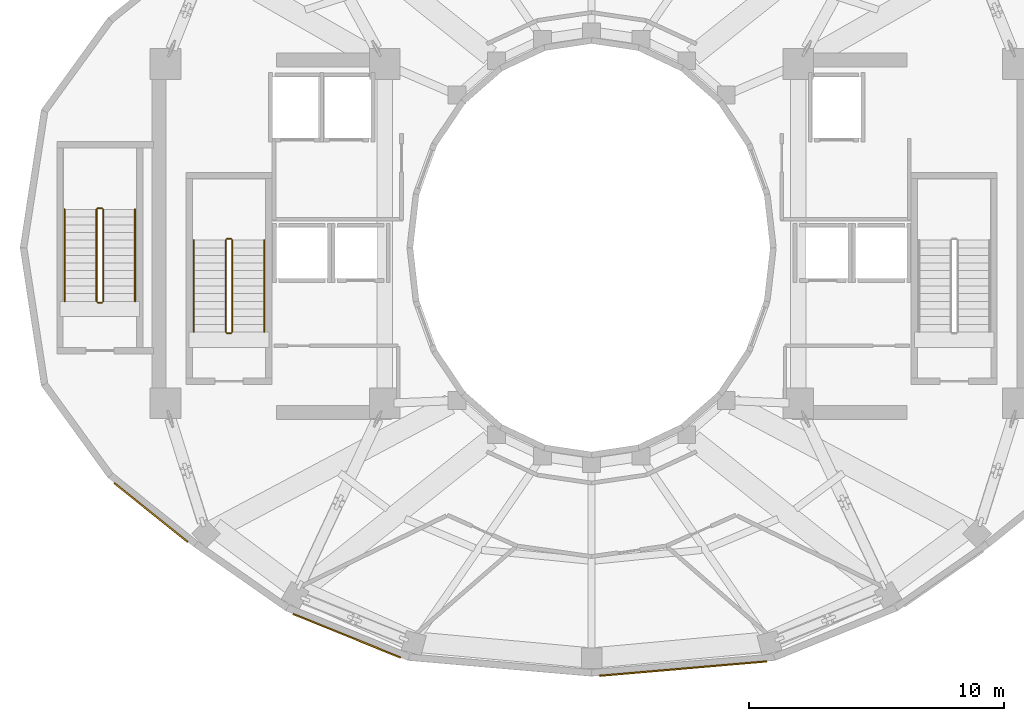
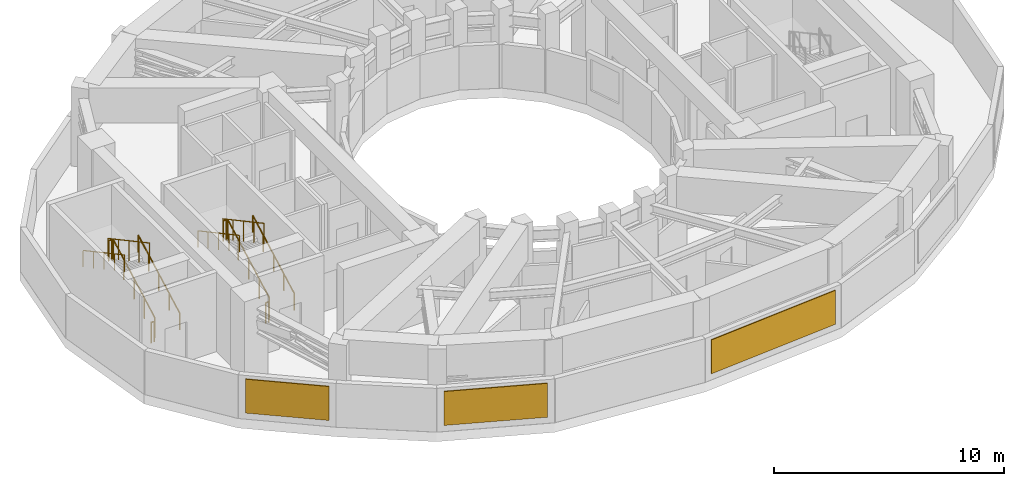
# One storey, part 7 of 10: 12 railings, 3 shading devices.
"""IFC4 building model written with IfcOpenShell, lengths in metres."""

from ifc_helpers import new_model, si_unit, direction, frame, origin, origin_2d, place, context, subcontext, project, spatial, rectangle, circle, extrude, material, layer, layer_set, type_object, element, save


model = new_model("IFC4")

# Units and contexts
model_context = context("Model", 3, precision=1e-05, world=origin(), true_north=direction((0.0, 1.0)))
body_context = subcontext(model_context, "Body", "Model", "MODEL_VIEW")
ifc_project = project(units=[si_unit("LENGTHUNIT", "METRE"), si_unit("AREAUNIT", "SQUARE_METRE"), si_unit("VOLUMEUNIT", "CUBIC_METRE"), si_unit("PLANEANGLEUNIT", "RADIAN"), si_unit("MASSUNIT", "GRAM", prefix="KILO")], contexts=[model_context])

# Site, building, storey
site_placement = place(None, origin())
site = spatial("IfcSite", under=ifc_project, at=site_placement, CompositionType="ELEMENT")
building_placement = place(site_placement, origin())
building = spatial("IfcBuilding", under=site, at=building_placement, Name="Solvane Sanctuary Tower", CompositionType="ELEMENT")
storey_placement = place(building_placement, frame((0.0, 0.0, 193.199951171875)))
storey = spatial("IfcBuildingStorey", under=building, at=storey_placement, Name="L59", CompositionType="ELEMENT", Elevation=193.199951171875)

# Railings
ifc_material_1 = material(Name="Architectural Stainless Steel 316", Category="steel")
railing_type_1 = type_object("IfcRailingType", Name="Railing GR-BALC-1150", PredefinedType="BALUSTRADE", material=ifc_material_1)
railing_1_placement = place(storey_placement, frame((17.919921875, 19.699951171875, 0.16162109375)))
element("IfcRailing", 1, at=railing_1_placement, inside=storey, type_object=railing_type_1, Name="L59 ST-1 stair guard 1", PredefinedType="BALUSTRADE", context=body_context, shape_type="SweptSolid", body=[
    extrude(circle(Radius=0.02392578125, at=origin_2d()), frame((0.0, 0.0, 1.076171875), z_axis=(0.0, 0.880474934443, 0.474092701714), x_axis=(-1.0, 0.0, 0.0)), (0.0, 0.0, 1.0), 4.0888671875),
    extrude(circle(Radius=0.02099609375, at=origin_2d()), origin(), (0.0, 0.0, 1.0), 1.052001953125),
    extrude(circle(Radius=0.02099609375, at=origin_2d()), frame((0.0, 0.89990234375, 0.484619140625)), (0.0, 0.0, 1.0), 1.052001953125),
    extrude(circle(Radius=0.02099609375, at=origin_2d()), frame((0.0, 1.800048828125, 0.96923828125)), (0.0, 0.0, 1.0), 1.052001953125),
    extrude(circle(Radius=0.02099609375, at=origin_2d()), frame((0.0, 2.7001953125, 1.453857421875)), (0.0, 0.0, 1.0), 1.052001953125),
    extrude(circle(Radius=0.02099609375, at=origin_2d()), frame((0.0, 3.60009765625, 1.9384765625)), (0.0, 0.0, 1.0), 1.052001953125),
])
railing_2_placement = place(storey_placement, frame((17.8701171875, 23.35009765625, 2.10009765625)))
element("IfcRailing", 2, at=railing_2_placement, inside=storey, type_object=railing_type_1, Name="L59 ST-1 stair guard 2", PredefinedType="BALUSTRADE", context=body_context, shape_type="SweptSolid", body=[
    extrude(circle(Radius=0.02392578125, at=origin_2d()), frame((0.0, 0.0, 1.076171875), z_axis=(-1.0, 0.0, 0.0), x_axis=(0.0, -1.0, 0.0)), (0.0, 0.0, 1.0), 0.16015625),
    extrude(circle(Radius=0.02099609375, at=origin_2d()), origin(), (0.0, 0.0, 1.0), 1.052001953125),
    extrude(circle(Radius=0.02099609375, at=origin_2d()), frame((-0.16015625, 0.0, 0.0)), (0.0, 0.0, 1.0), 1.052001953125),
])
railing_3_placement = place(storey_placement, frame((17.659912109375, 23.300048828125, 2.261474609375)))
element("IfcRailing", 3, at=railing_3_placement, inside=storey, type_object=railing_type_1, Name="L59 ST-1 stair guard 3", PredefinedType="BALUSTRADE", context=body_context, shape_type="SweptSolid", body=[
    extrude(circle(Radius=0.02392578125, at=origin_2d()), frame((0.0, 0.0, 1.076171875), z_axis=(0.0, -0.880474934443, 0.474092701714), x_axis=(1.0, 0.0, 0.0)), (0.0, 0.0, 1.0), 4.0888671875),
    extrude(circle(Radius=0.02099609375, at=origin_2d()), origin(), (0.0, 0.0, 1.0), 1.052001953125),
    extrude(circle(Radius=0.02099609375, at=origin_2d()), frame((0.0, -0.89990234375, 0.484619140625)), (0.0, 0.0, 1.0), 1.052001953125),
    extrude(circle(Radius=0.02099609375, at=origin_2d()), frame((0.0, -1.800048828125, 0.96923828125)), (0.0, 0.0, 1.0), 1.052001953125),
    extrude(circle(Radius=0.02099609375, at=origin_2d()), frame((0.0, -2.7001953125, 1.453857421875)), (0.0, 0.0, 1.0), 1.052001953125),
    extrude(circle(Radius=0.02099609375, at=origin_2d()), frame((0.0, -3.60009765625, 1.9384765625)), (0.0, 0.0, 1.0), 1.052001953125),
])
railing_4_placement = place(storey_placement, frame((17.8701171875, 19.64990234375, 0.0)))
element("IfcRailing", 4, at=railing_4_placement, inside=storey, type_object=railing_type_1, Name="L59 ST-1 stair guard 4", PredefinedType="BALUSTRADE", context=body_context, shape_type="SweptSolid", body=[
    extrude(circle(Radius=0.02392578125, at=origin_2d()), frame((0.0, 0.0, 1.076171875), z_axis=(-1.0, 0.0, 0.0), x_axis=(0.0, -1.0, 0.0)), (0.0, 0.0, 1.0), 0.16015625),
    extrude(circle(Radius=0.02099609375, at=origin_2d()), origin(), (0.0, 0.0, 1.0), 1.052001953125),
    extrude(circle(Radius=0.02099609375, at=origin_2d()), frame((-0.16015625, 0.0, 0.0)), (0.0, 0.0, 1.0), 1.052001953125),
])
railing_5_placement = place(storey_placement, frame((12.860107421875, 20.89990234375, 0.16162109375)))
element("IfcRailing", 5, at=railing_5_placement, inside=storey, type_object=railing_type_1, Name="L59 ST-3 stair guard 1", PredefinedType="BALUSTRADE", context=body_context, shape_type="SweptSolid", body=[
    extrude(circle(Radius=0.02392578125, at=origin_2d()), frame((0.0, 0.0, 1.076171875), z_axis=(0.0, 0.880474934443, 0.474092701714), x_axis=(-1.0, 0.0, 0.0)), (0.0, 0.0, 1.0), 4.0888671875),
    extrude(circle(Radius=0.02099609375, at=origin_2d()), origin(), (0.0, 0.0, 1.0), 1.052001953125),
    extrude(circle(Radius=0.02099609375, at=origin_2d()), frame((0.0, 0.89990234375, 0.484619140625)), (0.0, 0.0, 1.0), 1.052001953125),
    extrude(circle(Radius=0.02099609375, at=origin_2d()), frame((0.0, 1.800048828125, 0.96923828125)), (0.0, 0.0, 1.0), 1.052001953125),
    extrude(circle(Radius=0.02099609375, at=origin_2d()), frame((0.0, 2.7001953125, 1.453857421875)), (0.0, 0.0, 1.0), 1.052001953125),
    extrude(circle(Radius=0.02099609375, at=origin_2d()), frame((0.0, 3.60009765625, 1.9384765625)), (0.0, 0.0, 1.0), 1.052001953125),
])
railing_6_placement = place(storey_placement, frame((12.81005859375, 24.550048828125, 2.10009765625)))
element("IfcRailing", 6, at=railing_6_placement, inside=storey, type_object=railing_type_1, Name="L59 ST-3 stair guard 2", PredefinedType="BALUSTRADE", context=body_context, shape_type="SweptSolid", body=[
    extrude(circle(Radius=0.02392578125, at=origin_2d()), frame((0.0, 0.0, 1.076171875), z_axis=(-1.0, 0.0, 0.0), x_axis=(0.0, -1.0, 0.0)), (0.0, 0.0, 1.0), 0.16015625),
    extrude(circle(Radius=0.02099609375, at=origin_2d()), origin(), (0.0, 0.0, 1.0), 1.052001953125),
    extrude(circle(Radius=0.02099609375, at=origin_2d()), frame((-0.16015625, 0.0, 0.0)), (0.0, 0.0, 1.0), 1.052001953125),
])
railing_7_placement = place(storey_placement, frame((12.60009765625, 24.5, 2.261474609375)))
element("IfcRailing", 7, at=railing_7_placement, inside=storey, type_object=railing_type_1, Name="L59 ST-3 stair guard 3", PredefinedType="BALUSTRADE", context=body_context, shape_type="SweptSolid", body=[
    extrude(circle(Radius=0.02392578125, at=origin_2d()), frame((0.0, 0.0, 1.076171875), z_axis=(0.0, -0.880474934443, 0.474092701714), x_axis=(1.0, 0.0, 0.0)), (0.0, 0.0, 1.0), 4.0888671875),
    extrude(circle(Radius=0.02099609375, at=origin_2d()), origin(), (0.0, 0.0, 1.0), 1.052001953125),
    extrude(circle(Radius=0.02099609375, at=origin_2d()), frame((0.0, -0.89990234375, 0.484619140625)), (0.0, 0.0, 1.0), 1.052001953125),
    extrude(circle(Radius=0.02099609375, at=origin_2d()), frame((0.0, -1.800048828125, 0.96923828125)), (0.0, 0.0, 1.0), 1.052001953125),
    extrude(circle(Radius=0.02099609375, at=origin_2d()), frame((0.0, -2.7001953125, 1.453857421875)), (0.0, 0.0, 1.0), 1.052001953125),
    extrude(circle(Radius=0.02099609375, at=origin_2d()), frame((0.0, -3.60009765625, 1.9384765625)), (0.0, 0.0, 1.0), 1.052001953125),
])
railing_8_placement = place(storey_placement, frame((12.81005859375, 20.85009765625, 0.0)))
element("IfcRailing", 8, at=railing_8_placement, inside=storey, type_object=railing_type_1, Name="L59 ST-3 stair guard 4", PredefinedType="BALUSTRADE", context=body_context, shape_type="SweptSolid", body=[
    extrude(circle(Radius=0.02392578125, at=origin_2d()), frame((0.0, 0.0, 1.076171875), z_axis=(-1.0, 0.0, 0.0), x_axis=(0.0, -1.0, 0.0)), (0.0, 0.0, 1.0), 0.16015625),
    extrude(circle(Radius=0.02099609375, at=origin_2d()), origin(), (0.0, 0.0, 1.0), 1.052001953125),
    extrude(circle(Radius=0.02099609375, at=origin_2d()), frame((-0.16015625, 0.0, 0.0)), (0.0, 0.0, 1.0), 1.052001953125),
])
railing_type_2 = type_object("IfcRailingType", Name="Railing HR-STAIR-920", PredefinedType="HANDRAIL", material=ifc_material_1)
railing_9_placement = place(storey_placement, frame((19.169921875, 19.699951171875, 0.16162109375)))
element("IfcRailing", 9, at=railing_9_placement, inside=storey, type_object=railing_type_2, Name="L59 ST-1 stair handrail 1", PredefinedType="HANDRAIL", context=body_context, shape_type="SweptSolid", body=[
    extrude(circle(Radius=0.02392578125, at=origin_2d()), frame((0.0, 0.0, 0.8759765625), z_axis=(0.0, 0.880474934443, 0.474092701714), x_axis=(-1.0, 0.0, 0.0)), (0.0, 0.0, 1.0), 4.0888671875),
    extrude(circle(Radius=0.02099609375, at=origin_2d()), origin(), (0.0, 0.0, 1.0), 0.851806640625),
    extrude(circle(Radius=0.02099609375, at=origin_2d()), frame((0.0, 0.89990234375, 0.484619140625)), (0.0, 0.0, 1.0), 0.851806640625),
    extrude(circle(Radius=0.02099609375, at=origin_2d()), frame((0.0, 1.800048828125, 0.96923828125)), (0.0, 0.0, 1.0), 0.851806640625),
    extrude(circle(Radius=0.02099609375, at=origin_2d()), frame((0.0, 2.7001953125, 1.453857421875)), (0.0, 0.0, 1.0), 0.851806640625),
    extrude(circle(Radius=0.02099609375, at=origin_2d()), frame((0.0, 3.60009765625, 1.9384765625)), (0.0, 0.0, 1.0), 0.851806640625),
])
railing_10_placement = place(storey_placement, frame((16.409912109375, 23.300048828125, 2.261474609375)))
element("IfcRailing", 10, at=railing_10_placement, inside=storey, type_object=railing_type_2, Name="L59 ST-1 stair handrail 2", PredefinedType="HANDRAIL", context=body_context, shape_type="SweptSolid", body=[
    extrude(circle(Radius=0.02392578125, at=origin_2d()), frame((0.0, 0.0, 0.8759765625), z_axis=(0.0, -0.880474934443, 0.474092701714), x_axis=(1.0, 0.0, 0.0)), (0.0, 0.0, 1.0), 4.0888671875),
    extrude(circle(Radius=0.02099609375, at=origin_2d()), origin(), (0.0, 0.0, 1.0), 0.851806640625),
    extrude(circle(Radius=0.02099609375, at=origin_2d()), frame((0.0, -0.89990234375, 0.484619140625)), (0.0, 0.0, 1.0), 0.851806640625),
    extrude(circle(Radius=0.02099609375, at=origin_2d()), frame((0.0, -1.800048828125, 0.96923828125)), (0.0, 0.0, 1.0), 0.851806640625),
    extrude(circle(Radius=0.02099609375, at=origin_2d()), frame((0.0, -2.7001953125, 1.453857421875)), (0.0, 0.0, 1.0), 0.851806640625),
    extrude(circle(Radius=0.02099609375, at=origin_2d()), frame((0.0, -3.60009765625, 1.9384765625)), (0.0, 0.0, 1.0), 0.851806640625),
])
railing_11_placement = place(storey_placement, frame((14.110107421875, 20.89990234375, 0.16162109375)))
element("IfcRailing", 11, at=railing_11_placement, inside=storey, type_object=railing_type_2, Name="L59 ST-3 stair handrail 1", PredefinedType="HANDRAIL", context=body_context, shape_type="SweptSolid", body=[
    extrude(circle(Radius=0.02392578125, at=origin_2d()), frame((0.0, 0.0, 0.8759765625), z_axis=(0.0, 0.880474934443, 0.474092701714), x_axis=(-1.0, 0.0, 0.0)), (0.0, 0.0, 1.0), 4.0888671875),
    extrude(circle(Radius=0.02099609375, at=origin_2d()), origin(), (0.0, 0.0, 1.0), 0.851806640625),
    extrude(circle(Radius=0.02099609375, at=origin_2d()), frame((0.0, 0.89990234375, 0.484619140625)), (0.0, 0.0, 1.0), 0.851806640625),
    extrude(circle(Radius=0.02099609375, at=origin_2d()), frame((0.0, 1.800048828125, 0.96923828125)), (0.0, 0.0, 1.0), 0.851806640625),
    extrude(circle(Radius=0.02099609375, at=origin_2d()), frame((0.0, 2.7001953125, 1.453857421875)), (0.0, 0.0, 1.0), 0.851806640625),
    extrude(circle(Radius=0.02099609375, at=origin_2d()), frame((0.0, 3.60009765625, 1.9384765625)), (0.0, 0.0, 1.0), 0.851806640625),
])
railing_12_placement = place(storey_placement, frame((11.35009765625, 24.5, 2.261474609375)))
element("IfcRailing", 12, at=railing_12_placement, inside=storey, type_object=railing_type_2, Name="L59 ST-3 stair handrail 2", PredefinedType="HANDRAIL", context=body_context, shape_type="SweptSolid", body=[
    extrude(circle(Radius=0.02392578125, at=origin_2d()), frame((0.0, 0.0, 0.8759765625), z_axis=(0.0, -0.880474934443, 0.474092701714), x_axis=(1.0, 0.0, 0.0)), (0.0, 0.0, 1.0), 4.0888671875),
    extrude(circle(Radius=0.02099609375, at=origin_2d()), origin(), (0.0, 0.0, 1.0), 0.851806640625),
    extrude(circle(Radius=0.02099609375, at=origin_2d()), frame((0.0, -0.89990234375, 0.484619140625)), (0.0, 0.0, 1.0), 0.851806640625),
    extrude(circle(Radius=0.02099609375, at=origin_2d()), frame((0.0, -1.800048828125, 0.96923828125)), (0.0, 0.0, 1.0), 0.851806640625),
    extrude(circle(Radius=0.02099609375, at=origin_2d()), frame((0.0, -2.7001953125, 1.453857421875)), (0.0, 0.0, 1.0), 0.851806640625),
    extrude(circle(Radius=0.02099609375, at=origin_2d()), frame((0.0, -3.60009765625, 1.9384765625)), (0.0, 0.0, 1.0), 0.851806640625),
])

# Shading devices
ifc_material_2 = material(Name="Anodised Aluminium 6063-T6", Category="aluminium")
ifc_layer = layer(ifc_material_2, 0.06005859375, Name="Anodised Aluminium 6063-T6")
ifc_layer_set = layer_set([ifc_layer], Name="Anodised Aluminium 6063-T6")
shading_device_type = type_object("IfcShadingDeviceType", Name="Shading SHD-LOUVRE", PredefinedType="JALOUSIE", material=ifc_layer_set)
shading_device_1_placement = place(storey_placement, frame((14.73388671875, 12.624755859375, 0.35009765625), z_axis=(0.0, 0.0, 1.0), x_axis=(0.779585064669, -0.626296357122, 0.0)))
element("IfcShadingDevice", 13, at=shading_device_1_placement, inside=storey, type_object=shading_device_type, Name="L59 Plant Intake Louvre 14", PredefinedType="JALOUSIE", context=body_context, shape_type="SweptSolid", body=[
    extrude(rectangle(XDim=3.682861328125, YDim=0.06005859375, at=origin_2d()), origin(), (0.0, 0.0, 1.0), 1.800048828125),
])
shading_device_2_placement = place(storey_placement, frame((22.407958984375, 7.795166015625, 0.35009765625), z_axis=(0.0, 0.0, 1.0), x_axis=(0.926500392948, -0.376293797273, 0.0)))
element("IfcShadingDevice", 14, at=shading_device_2_placement, inside=storey, type_object=shading_device_type, Name="L59 Plant Intake Louvre 16", PredefinedType="JALOUSIE", context=body_context, shape_type="SweptSolid", body=[
    extrude(rectangle(XDim=4.5498046875, YDim=0.06005859375, at=origin_2d()), origin(), (0.0, 0.0, 1.0), 1.800048828125),
])
shading_device_3_placement = place(storey_placement, frame((35.5888671875, 6.508544921875, 0.35009765625), z_axis=(0.0, 0.0, 1.0), x_axis=(0.996313173704, 0.085790791492, 0.0)))
element("IfcShadingDevice", 15, at=shading_device_3_placement, inside=storey, type_object=shading_device_type, Name="L59 Plant Intake Louvre 18", PredefinedType="JALOUSIE", context=body_context, shape_type="SweptSolid", body=[
    extrude(rectangle(XDim=6.580322265625, YDim=0.06005859375, at=origin_2d()), origin(), (0.0, 0.0, 1.0), 1.800048828125),
])

save(model, "model.ifc")
